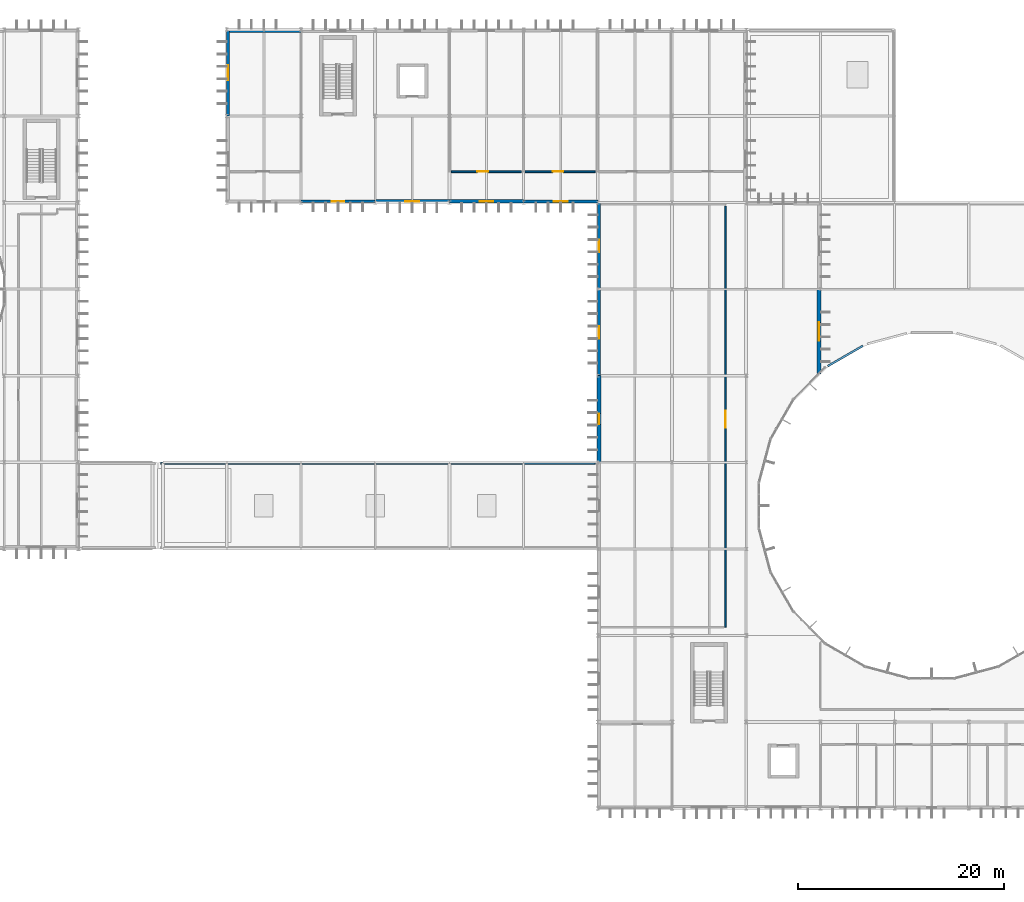
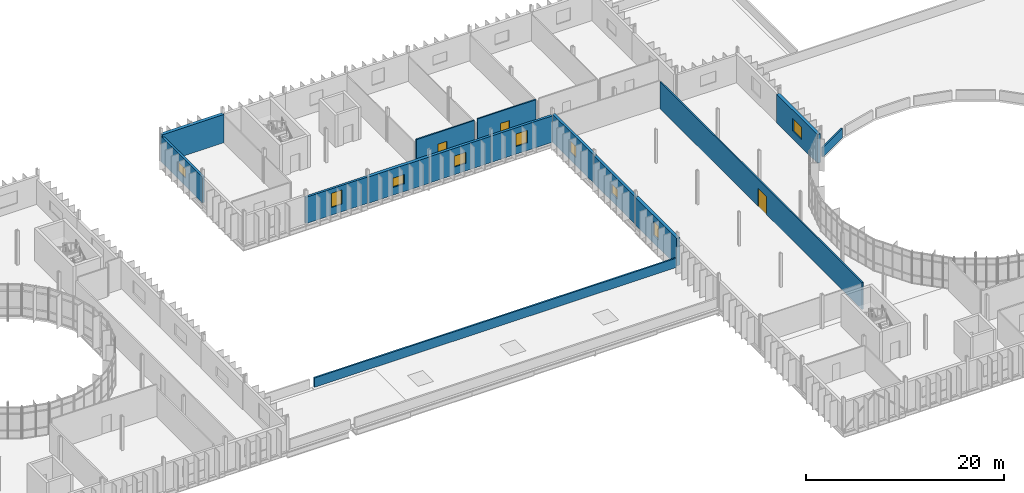
# One storey, part 47 of 61: 15 walls, 9 windows, 3 doors, 12 openings.
"""IFC4 building model written with IfcOpenShell, lengths in metres."""

from ifc_helpers import new_model, si_unit, direction, frame, frame_2d, origin, place, context, subcontext, project, spatial, rectangle, extrude, material, layer, layer_set, type_object, element, fill, save


model = new_model("IFC4")

# Units and contexts
model_context = context("Model", 3, precision=1e-05, world=origin(), true_north=direction((0.0, 1.0)))
body_context = subcontext(model_context, "Body", "Model", "MODEL_VIEW")
ifc_project = project(units=[si_unit("LENGTHUNIT", "METRE"), si_unit("AREAUNIT", "SQUARE_METRE"), si_unit("VOLUMEUNIT", "CUBIC_METRE"), si_unit("PLANEANGLEUNIT", "RADIAN"), si_unit("MASSUNIT", "GRAM", prefix="KILO")], contexts=[model_context])

# Site, building, storey
site_placement = place(None, origin())
site = spatial("IfcSite", under=ifc_project, at=site_placement, CompositionType="ELEMENT")
building_placement = place(site_placement, origin())
building = spatial("IfcBuilding", under=site, at=building_placement, Name="Qelthora Terrace Specialist Clinic", CompositionType="ELEMENT")
storey_placement = place(building_placement, frame((0.0, 0.0, 13.199951171875)))
storey = spatial("IfcBuildingStorey", under=building, at=storey_placement, Name="L03", CompositionType="ELEMENT", Elevation=13.199951171875)

# Wall, opening, window
ifc_material_1 = material(Name="Precast concrete C40/50", Category="concrete")
ifc_layer_1 = layer(ifc_material_1, 0.260009765625)
ifc_layer_set_1 = layer_set([ifc_layer_1], Name="Precast concrete C40/50")
wall_type_1 = type_object("IfcWallType", Name="WAL-EXT-260-PC40", PredefinedType="SOLIDWALL", material=ifc_layer_set_1)
wall_1_placement = place(storey_placement, frame((64.800048828125, 92.52001953125, 0.0), z_axis=(0.0, 0.0, 1.0), x_axis=(1.0, 0.0, 0.0)))
wall_1 = element("IfcWall", 1, at=wall_1_placement, inside=storey, type_object=wall_type_1, Name="L03 external precast wall 304", PredefinedType="SOLIDWALL", context=body_context, shape_type="SweptSolid", body=[
    extrude(rectangle(XDim=7.199951171875, YDim=0.260009765625, at=frame_2d((3.60009765625, 0.0))), origin(), (0.0, 0.0, 1.0), 3.2490234375),
])
opening_1_placement = place(wall_1_placement, frame((3.0, 0.0, 0.949951171875)))
opening_1 = element("IfcOpeningElement", 2, at=opening_1_placement, cuts=wall_1, Name="Opening WN-L03-264", PredefinedType="OPENING", context=body_context, shape_type="SweptSolid", body=[
    extrude(rectangle(XDim=1.199951171875, YDim=1.75, at=frame_2d((0.60009765625, 0.875))), frame((0.0, 0.139892578125, 0.0), z_axis=(0.0, -1.0, 0.0), x_axis=(1.0, 0.0, 0.0)), (0.0, 0.0, 1.0), 0.280029296875),
])
ifc_material_2 = material(Name="Low-E triple-silver insulating glass", Category="glass")
window_type_1 = type_object("IfcWindowType", Name="WIN-1200X1750", PartitioningType="SINGLE_PANEL", PredefinedType="WINDOW", material=ifc_material_2)
window_1_placement = place(opening_1_placement, origin())
window_1 = element("IfcWindow", 3, at=window_1_placement, inside=storey, type_object=window_type_1, Name="Clinical window WN-L03-264", OverallHeight=1.75, OverallWidth=1.199951171875, PartitioningType="SINGLE_PANEL", PredefinedType="WINDOW", context=body_context, shape_type="SweptSolid", body=[
    extrude(rectangle(XDim=1.199951171875, YDim=1.75, at=frame_2d((0.60009765625, 0.875))), frame((0.0, 0.030029296875, 0.0), z_axis=(0.0, -1.0, 0.0), x_axis=(1.0, 0.0, 0.0)), (0.0, 0.0, 1.0), 0.06005859375),
])
fill(opening_1, window_1)

wall_2_placement = place(storey_placement, frame((57.719970703125, 100.800048828125, 0.0), z_axis=(0.0, 0.0, 1.0), x_axis=(0.0, 1.0, 0.0)))
wall_2 = element("IfcWall", 4, at=wall_2_placement, inside=storey, type_object=wall_type_1, Name="L03 external precast wall 309", PredefinedType="SOLIDWALL", context=body_context, shape_type="SweptSolid", body=[
    extrude(rectangle(XDim=8.39990234375, YDim=0.260009765625, at=frame_2d((4.199951171875, 0.0))), origin(), (0.0, 0.0, 1.0), 3.172119140625),
])
opening_2_placement = place(wall_2_placement, frame((3.449951171875, 0.0, 0.949951171875)))
opening_2 = element("IfcOpeningElement", 5, at=opening_2_placement, cuts=wall_2, Name="Opening WN-L03-269", PredefinedType="OPENING", context=body_context, shape_type="SweptSolid", body=[
    extrude(rectangle(XDim=1.5, YDim=1.14990234375, at=frame_2d((0.75, 0.574951171875))), frame((0.0, 0.139892578125, 0.0), z_axis=(0.0, -1.0, 0.0), x_axis=(1.0, 0.0, 0.0)), (0.0, 0.0, 1.0), 0.280029296875),
])
window_type_2 = type_object("IfcWindowType", Name="WIN-1500X1150", PartitioningType="SINGLE_PANEL", PredefinedType="WINDOW", material=ifc_material_2)
window_2_placement = place(opening_2_placement, origin())
window_2 = element("IfcWindow", 6, at=window_2_placement, inside=storey, type_object=window_type_2, Name="Clinical window WN-L03-269", OverallHeight=1.14990234375, OverallWidth=1.5, PartitioningType="SINGLE_PANEL", PredefinedType="WINDOW", context=body_context, shape_type="SweptSolid", body=[
    extrude(rectangle(XDim=1.5, YDim=1.14990234375, at=frame_2d((0.75, 0.574951171875))), frame((0.0, 0.030029296875, 0.0), z_axis=(0.0, -1.0, 0.0), x_axis=(1.0, 0.0, 0.0)), (0.0, 0.0, 1.0), 0.06005859375),
])
fill(opening_2, window_2)

ifc_layer_2 = layer(ifc_material_1, 0.300048828125)
ifc_layer_set_2 = layer_set([ifc_layer_2], Name="Precast concrete C40/50")
wall_type_2 = type_object("IfcWallType", Name="WAL-EXT-300-PC40", PredefinedType="SOLIDWALL", material=ifc_layer_set_2)
wall_3_placement = place(storey_placement, frame((93.719970703125, 84.0, 0.0), z_axis=(0.0, 0.0, 1.0), x_axis=(0.0, 1.0, 0.0)))
wall_3 = element("IfcWall", 7, at=wall_3_placement, inside=storey, type_object=wall_type_2, Name="L03 external precast wall 302", PredefinedType="SOLIDWALL", context=body_context, shape_type="SweptSolid", body=[
    extrude(rectangle(XDim=8.39990234375, YDim=0.300048828125, at=frame_2d((4.199951171875, 0.0))), origin(), (0.0, 0.0, 1.0), 3.47607421875),
])
opening_3_placement = place(wall_3_placement, frame((3.60009765625, 0.0, 0.949951171875)))
opening_3 = element("IfcOpeningElement", 8, at=opening_3_placement, cuts=wall_3, Name="Opening WN-L03-262", PredefinedType="OPENING", context=body_context, shape_type="SweptSolid", body=[
    extrude(rectangle(XDim=1.199951171875, YDim=1.35009765625, at=frame_2d((0.60009765625, 0.675048828125))), frame((0.0, 0.159912109375, 0.0), z_axis=(0.0, -1.0, 0.0), x_axis=(1.0, 0.0, 0.0)), (0.0, 0.0, 1.0), 0.320068359375),
])
window_type_3 = type_object("IfcWindowType", Name="WIN-1200X1350", PartitioningType="SINGLE_PANEL", PredefinedType="WINDOW", material=ifc_material_2)
window_3_placement = place(opening_3_placement, origin())
window_3 = element("IfcWindow", 9, at=window_3_placement, inside=storey, type_object=window_type_3, Name="Clinical window WN-L03-262", OverallHeight=1.35009765625, OverallWidth=1.199951171875, PartitioningType="SINGLE_PANEL", PredefinedType="WINDOW", context=body_context, shape_type="SweptSolid", body=[
    extrude(rectangle(XDim=1.199951171875, YDim=1.35009765625, at=frame_2d((0.60009765625, 0.675048828125))), frame((0.0, 0.030029296875, 0.0), z_axis=(0.0, -1.0, 0.0), x_axis=(1.0, 0.0, 0.0)), (0.0, 0.0, 1.0), 0.06005859375),
])
fill(opening_3, window_3)

wall_4_placement = place(storey_placement, frame((86.39990234375, 92.52001953125, 0.0), z_axis=(0.0, 0.0, 1.0), x_axis=(1.0, 0.0, 0.0)))
wall_4 = element("IfcWall", 10, at=wall_4_placement, inside=storey, type_object=wall_type_2, Name="L03 external precast wall 307", PredefinedType="SOLIDWALL", context=body_context, shape_type="SweptSolid", body=[
    extrude(rectangle(XDim=7.2001953125, YDim=0.300048828125, at=frame_2d((3.60009765625, 0.0))), origin(), (0.0, 0.0, 1.0), 3.254150390625),
])
opening_4_placement = place(wall_4_placement, frame((2.925048828125, 0.0, 0.949951171875)))
opening_4 = element("IfcOpeningElement", 11, at=opening_4_placement, cuts=wall_4, Name="Opening WN-L03-267", PredefinedType="OPENING", context=body_context, shape_type="SweptSolid", body=[
    extrude(rectangle(XDim=1.35009765625, YDim=1.550048828125, at=frame_2d((0.675048828125, 0.77490234375))), frame((0.0, 0.159912109375, 0.0), z_axis=(0.0, -1.0, 0.0), x_axis=(1.0, 0.0, 0.0)), (0.0, 0.0, 1.0), 0.320068359375),
])
window_type_4 = type_object("IfcWindowType", Name="WIN-1350X1550", PartitioningType="SINGLE_PANEL", PredefinedType="WINDOW", material=ifc_material_2)
window_4_placement = place(opening_4_placement, origin())
window_4 = element("IfcWindow", 12, at=window_4_placement, inside=storey, type_object=window_type_4, Name="Clinical window WN-L03-267", OverallHeight=1.550048828125, OverallWidth=1.35009765625, PartitioningType="SINGLE_PANEL", PredefinedType="WINDOW", context=body_context, shape_type="SweptSolid", body=[
    extrude(rectangle(XDim=1.35009765625, YDim=1.550048828125, at=frame_2d((0.675048828125, 0.77490234375))), frame((0.0, 0.030029296875, 0.0), z_axis=(0.0, -1.0, 0.0), x_axis=(1.0, 0.0, 0.0)), (0.0, 0.0, 1.0), 0.06005859375),
])
fill(opening_4, window_4)

ifc_layer_3 = layer(ifc_material_1, 0.320068359375)
ifc_layer_set_3 = layer_set([ifc_layer_3], Name="Precast concrete C40/50")
wall_type_3 = type_object("IfcWallType", Name="WAL-EXT-320-PC40", PredefinedType="SOLIDWALL", material=ifc_layer_set_3)
wall_5_placement = place(storey_placement, frame((93.719970703125, 75.60009765625, 0.0), z_axis=(0.0, 0.0, 1.0), x_axis=(0.0, 1.0, 0.0)))
wall_5 = element("IfcWall", 13, at=wall_5_placement, inside=storey, type_object=wall_type_3, Name="L03 external precast wall 301", PredefinedType="SOLIDWALL", context=body_context, shape_type="SweptSolid", body=[
    extrude(rectangle(XDim=8.39990234375, YDim=0.320068359375, at=frame_2d((4.199951171875, 0.0))), origin(), (0.0, 0.0, 1.0), 3.405029296875),
])
opening_5_placement = place(wall_5_placement, frame((3.60009765625, 0.0, 0.949951171875)))
opening_5 = element("IfcOpeningElement", 14, at=opening_5_placement, cuts=wall_5, Name="Opening WN-L03-261", PredefinedType="OPENING", context=body_context, shape_type="SweptSolid", body=[
    extrude(rectangle(XDim=1.199951171875, YDim=1.14990234375, at=frame_2d((0.60009765625, 0.574951171875))), frame((0.0, 0.169921875, 0.0), z_axis=(0.0, -1.0, 0.0), x_axis=(1.0, 0.0, 0.0)), (0.0, 0.0, 1.0), 0.340087890625),
])
window_type_5 = type_object("IfcWindowType", Name="WIN-1200X1150", PartitioningType="SINGLE_PANEL", PredefinedType="WINDOW", material=ifc_material_2)
window_5_placement = place(opening_5_placement, origin())
window_5 = element("IfcWindow", 15, at=window_5_placement, inside=storey, type_object=window_type_5, Name="Clinical window WN-L03-261", OverallHeight=1.14990234375, OverallWidth=1.199951171875, PartitioningType="SINGLE_PANEL", PredefinedType="WINDOW", context=body_context, shape_type="SweptSolid", body=[
    extrude(rectangle(XDim=1.199951171875, YDim=1.14990234375, at=frame_2d((0.60009765625, 0.574951171875))), frame((0.0, 0.030029296875, 0.0), z_axis=(0.0, -1.0, 0.0), x_axis=(1.0, 0.0, 0.0)), (0.0, 0.0, 1.0), 0.06005859375),
])
fill(opening_5, window_5)

wall_6_placement = place(storey_placement, frame((79.199951171875, 92.52001953125, 0.0), z_axis=(0.0, 0.0, 1.0), x_axis=(1.0, 0.0, 0.0)))
wall_6 = element("IfcWall", 16, at=wall_6_placement, inside=storey, type_object=wall_type_3, Name="L03 external precast wall 306", PredefinedType="SOLIDWALL", context=body_context, shape_type="SweptSolid", body=[
    extrude(rectangle(XDim=7.199951171875, YDim=0.320068359375, at=frame_2d((3.60009765625, 0.0))), origin(), (0.0, 0.0, 1.0), 3.2490234375),
])
opening_6_placement = place(wall_6_placement, frame((2.925048828125, 0.0, 0.949951171875)))
opening_6 = element("IfcOpeningElement", 17, at=opening_6_placement, cuts=wall_6, Name="Opening WN-L03-266", PredefinedType="OPENING", context=body_context, shape_type="SweptSolid", body=[
    extrude(rectangle(XDim=1.35009765625, YDim=1.35009765625, at=frame_2d((0.675048828125, 0.675048828125))), frame((0.0, 0.169921875, 0.0), z_axis=(0.0, -1.0, 0.0), x_axis=(1.0, 0.0, 0.0)), (0.0, 0.0, 1.0), 0.340087890625),
])
window_type_6 = type_object("IfcWindowType", Name="WIN-1350X1350", PartitioningType="SINGLE_PANEL", PredefinedType="WINDOW", material=ifc_material_2)
window_6_placement = place(opening_6_placement, origin())
window_6 = element("IfcWindow", 18, at=window_6_placement, inside=storey, type_object=window_type_6, Name="Clinical window WN-L03-266", OverallHeight=1.35009765625, OverallWidth=1.35009765625, PartitioningType="SINGLE_PANEL", PredefinedType="WINDOW", context=body_context, shape_type="SweptSolid", body=[
    extrude(rectangle(XDim=1.35009765625, YDim=1.35009765625, at=frame_2d((0.675048828125, 0.675048828125))), frame((0.0, 0.030029296875, 0.0), z_axis=(0.0, -1.0, 0.0), x_axis=(1.0, 0.0, 0.0)), (0.0, 0.0, 1.0), 0.06005859375),
])
fill(opening_6, window_6)

ifc_layer_4 = layer(ifc_material_1, 0.3798828125)
ifc_layer_set_4 = layer_set([ifc_layer_4], Name="Precast concrete C40/50")
wall_type_4 = type_object("IfcWallType", Name="WAL-EXT-380-PC40", PredefinedType="SOLIDWALL", material=ifc_layer_set_4)
wall_7_placement = place(storey_placement, frame((93.719970703125, 67.199951171875, 0.0), z_axis=(0.0, 0.0, 1.0), x_axis=(0.0, 1.0, 0.0)))
wall_7 = element("IfcWall", 19, at=wall_7_placement, inside=storey, type_object=wall_type_4, Name="L03 external precast wall 300", PredefinedType="SOLIDWALL", context=body_context, shape_type="SweptSolid", body=[
    extrude(rectangle(XDim=8.400146484375, YDim=0.3798828125, at=frame_2d((4.2001953125, 0.0))), origin(), (0.0, 0.0, 1.0), 3.39794921875),
])
opening_7_placement = place(wall_7_placement, frame((3.675048828125, 0.0, 0.949951171875)))
opening_7 = element("IfcOpeningElement", 20, at=opening_7_placement, cuts=wall_7, Name="Opening WN-L03-260", PredefinedType="OPENING", context=body_context, shape_type="SweptSolid", body=[
    extrude(rectangle(XDim=1.050048828125, YDim=1.75, at=frame_2d((0.52490234375, 0.875))), frame((0.0, 0.199951171875, 0.0), z_axis=(0.0, -1.0, 0.0), x_axis=(1.0, 0.0, 0.0)), (0.0, 0.0, 1.0), 0.39990234375),
])
window_type_7 = type_object("IfcWindowType", Name="WIN-1050X1750", PartitioningType="SINGLE_PANEL", PredefinedType="WINDOW", material=ifc_material_2)
window_7_placement = place(opening_7_placement, origin())
window_7 = element("IfcWindow", 21, at=window_7_placement, inside=storey, type_object=window_type_7, Name="Clinical window WN-L03-260", OverallHeight=1.75, OverallWidth=1.050048828125, PartitioningType="SINGLE_PANEL", PredefinedType="WINDOW", context=body_context, shape_type="SweptSolid", body=[
    extrude(rectangle(XDim=1.050048828125, YDim=1.75, at=frame_2d((0.52490234375, 0.875))), frame((0.0, 0.030029296875, 0.0), z_axis=(0.0, -1.0, 0.0), x_axis=(1.0, 0.0, 0.0)), (0.0, 0.0, 1.0), 0.06005859375),
])
fill(opening_7, window_7)

wall_8_placement = place(storey_placement, frame((72.0, 92.52001953125, 0.0), z_axis=(0.0, 0.0, 1.0), x_axis=(1.0, 0.0, 0.0)))
wall_8 = element("IfcWall", 22, at=wall_8_placement, inside=storey, type_object=wall_type_4, Name="L03 external precast wall 305", PredefinedType="SOLIDWALL", context=body_context, shape_type="SweptSolid", body=[
    extrude(rectangle(XDim=7.199951171875, YDim=0.3798828125, at=frame_2d((3.60009765625, 0.0))), origin(), (0.0, 0.0, 1.0), 3.2490234375),
])
opening_8_placement = place(wall_8_placement, frame((2.925048828125, 0.0, 0.949951171875)))
opening_8 = element("IfcOpeningElement", 23, at=opening_8_placement, cuts=wall_8, Name="Opening WN-L03-265", PredefinedType="OPENING", context=body_context, shape_type="SweptSolid", body=[
    extrude(rectangle(XDim=1.35009765625, YDim=1.14990234375, at=frame_2d((0.675048828125, 0.574951171875))), frame((0.0, 0.199951171875, 0.0), z_axis=(0.0, -1.0, 0.0), x_axis=(1.0, 0.0, 0.0)), (0.0, 0.0, 1.0), 0.39990234375),
])
window_type_8 = type_object("IfcWindowType", Name="WIN-1350X1150", PartitioningType="SINGLE_PANEL", PredefinedType="WINDOW", material=ifc_material_2)
window_8_placement = place(opening_8_placement, origin())
window_8 = element("IfcWindow", 24, at=window_8_placement, inside=storey, type_object=window_type_8, Name="Clinical window WN-L03-265", OverallHeight=1.14990234375, OverallWidth=1.35009765625, PartitioningType="SINGLE_PANEL", PredefinedType="WINDOW", context=body_context, shape_type="SweptSolid", body=[
    extrude(rectangle(XDim=1.35009765625, YDim=1.14990234375, at=frame_2d((0.675048828125, 0.574951171875))), frame((0.0, 0.030029296875, 0.0), z_axis=(0.0, -1.0, 0.0), x_axis=(1.0, 0.0, 0.0)), (0.0, 0.0, 1.0), 0.06005859375),
])
fill(opening_8, window_8)

# Wall
wall_9_placement = place(storey_placement, frame((57.60009765625, 109.080078125, 0.0), z_axis=(0.0, 0.0, 1.0), x_axis=(1.0, 0.0, 0.0)))
element("IfcWall", 25, at=wall_9_placement, inside=storey, type_object=wall_type_4, Name="L03 external precast wall 310", PredefinedType="SOLIDWALL", context=body_context, shape_type="SweptSolid", body=[
    extrude(rectangle(XDim=7.199951171875, YDim=0.3798828125, at=frame_2d((3.60009765625, 0.0))), origin(), (0.0, 0.0, 1.0), 3.48193359375),
])

# Wall, opening, window
wall_10_placement = place(storey_placement, frame((115.080078125, 75.755615234375, 0.0), z_axis=(0.0, 0.0, 1.0), x_axis=(0.0, 1.0, 0.0)))
wall_10 = element("IfcWall", 26, at=wall_10_placement, inside=storey, type_object=wall_type_4, Name="L03 external precast wall 320", PredefinedType="SOLIDWALL", context=body_context, shape_type="SweptSolid", body=[
    extrude(rectangle(XDim=8.244384765625, YDim=0.3798828125, at=frame_2d((4.1220703125, 0.0))), origin(), (0.0, 0.0, 1.0), 3.531982421875),
])
opening_9_placement = place(wall_10_placement, frame((3.22216796875, 0.0, 0.949951171875)))
opening_9 = element("IfcOpeningElement", 27, at=opening_9_placement, cuts=wall_10, Name="Opening WN-L03-279", PredefinedType="OPENING", context=body_context, shape_type="SweptSolid", body=[
    extrude(rectangle(XDim=1.800048828125, YDim=1.550048828125, at=frame_2d((0.89990234375, 0.77490234375))), frame((0.0, 0.199951171875, 0.0), z_axis=(0.0, -1.0, 0.0), x_axis=(1.0, 0.0, 0.0)), (0.0, 0.0, 1.0), 0.39990234375),
])
window_type_9 = type_object("IfcWindowType", Name="WIN-1800X1550", PartitioningType="DOUBLE_PANEL_VERTICAL", PredefinedType="WINDOW", material=ifc_material_2)
window_9_placement = place(opening_9_placement, origin())
window_9 = element("IfcWindow", 28, at=window_9_placement, inside=storey, type_object=window_type_9, Name="Clinical window WN-L03-279", OverallHeight=1.550048828125, OverallWidth=1.800048828125, PartitioningType="SINGLE_PANEL", PredefinedType="WINDOW", context=body_context, shape_type="SweptSolid", body=[
    extrude(rectangle(XDim=1.800048828125, YDim=1.550048828125, at=frame_2d((0.89990234375, 0.77490234375))), frame((0.0, 0.030029296875, 0.0), z_axis=(0.0, -1.0, 0.0), x_axis=(1.0, 0.0, 0.0)), (0.0, 0.0, 1.0), 0.06005859375),
])
fill(opening_9, window_9)

# Wall, opening, door
ifc_material_3 = material(Name="Gypsum fire-rated wallboard", Category="gypsum")
ifc_layer_5 = layer(ifc_material_3, 0.159912109375)
ifc_layer_set_5 = layer_set([ifc_layer_5], Name="Gypsum fire-rated wallboard")
wall_type_5 = type_object("IfcWallType", Name="WAL-INT-COR-160", PredefinedType="PARTITIONING", material=ifc_layer_set_5)
wall_11_placement = place(storey_placement, frame((106.0, 92.070068359375, 0.0), z_axis=(0.0, 0.0, 1.0), x_axis=(0.0, -1.0, 0.0)))
wall_11 = element("IfcWall", 29, at=wall_11_placement, inside=storey, type_object=wall_type_5, Name="Interior clinical partition IWAL-L03-0331", PredefinedType="PARTITIONING", context=body_context, shape_type="SweptSolid", body=[
    extrude(rectangle(XDim=40.8701171875, YDim=0.159912109375, at=frame_2d((20.43505859375, 0.0))), origin(), (0.0, 0.0, 1.0), 3.328125),
])
opening_10_placement = place(wall_11_placement, frame((19.8798828125, 0.0, 0.0)))
opening_10 = element("IfcOpeningElement", 30, at=opening_10_placement, cuts=wall_11, Name="Opening DI-L03-0132", PredefinedType="OPENING", context=body_context, shape_type="SweptSolid", body=[
    extrude(rectangle(XDim=1.64990234375, YDim=2.199951171875, at=frame_2d((0.824951171875, 1.10009765625))), frame((0.0, 0.08984375, 0.0), z_axis=(0.0, -1.0, 0.0), x_axis=(1.0, 0.0, 0.0)), (0.0, 0.0, 1.0), 0.179931640625),
])
ifc_material_4 = material(Name="Aluminium anodized bronze", Category="aluminium")
door_type_1 = type_object("IfcDoorType", Name="DOR-GYM-1650X2200", OperationType="NOTDEFINED", PredefinedType="DOOR", material=ifc_material_4)
door_1_placement = place(opening_10_placement, frame((1.64990234375, 0.0, 0.0), z_axis=(0.0, 0.0, 1.0), x_axis=(-1.0, 0.0, 0.0)))
door_1 = element("IfcDoor", 31, at=door_1_placement, inside=storey, type_object=door_type_1, Name="Interior clinical door DI-L03-0132", OperationType="DOUBLE_DOOR_SINGLE_SWING", OverallHeight=2.199951171875, OverallWidth=1.64990234375, PredefinedType="DOOR", context=body_context, shape_type="SweptSolid", body=[
    extrude(rectangle(XDim=1.64990234375, YDim=2.199951171875, at=frame_2d((0.824951171875, 1.10009765625))), frame((0.0, 0.02490234375, 0.0), z_axis=(0.0, -1.0, 0.0), x_axis=(1.0, 0.0, 0.0)), (0.0, 0.0, 1.0), 0.050048828125),
])
fill(opening_10, door_1)

wall_12_placement = place(storey_placement, frame((86.1826171875, 95.39990234375, 0.0), z_axis=(0.0, 0.0, 1.0), x_axis=(-1.0, 0.0, 0.0)))
wall_12 = element("IfcWall", 32, at=wall_12_placement, inside=storey, type_object=wall_type_5, Name="Interior clinical partition IWAL-L03-0351", PredefinedType="PARTITIONING", context=body_context, shape_type="SweptSolid", body=[
    extrude(rectangle(XDim=6.802734375, YDim=0.159912109375, at=frame_2d((3.4013671875, 0.0))), origin(), (0.0, 0.0, 1.0), 3.485107421875),
])
opening_11_placement = place(wall_12_placement, frame((3.231201171875, 0.0, 0.0)))
opening_11 = element("IfcOpeningElement", 33, at=opening_11_placement, cuts=wall_12, Name="Opening DI-L03-0139", PredefinedType="OPENING", context=body_context, shape_type="SweptSolid", body=[
    extrude(rectangle(XDim=1.06005859375, YDim=2.050048828125, at=frame_2d((0.530029296875, 1.02490234375))), frame((0.0, 0.08984375, 0.0), z_axis=(0.0, -1.0, 0.0), x_axis=(1.0, 0.0, 0.0)), (0.0, 0.0, 1.0), 0.179931640625),
])
ifc_material_5 = material(Name="Glulam timber GL28h", Category="wood")
door_type_2 = type_object("IfcDoorType", Name="DOR-CON-1060X2050", OperationType="NOTDEFINED", PredefinedType="DOOR", material=ifc_material_5)
door_2_placement = place(opening_11_placement, frame((1.06005859375, 0.0, 0.0), z_axis=(0.0, 0.0, 1.0), x_axis=(-1.0, 0.0, 0.0)))
door_2 = element("IfcDoor", 34, at=door_2_placement, inside=storey, type_object=door_type_2, Name="Interior clinical door DI-L03-0139", OperationType="SINGLE_SWING_RIGHT", OverallHeight=2.050048828125, OverallWidth=1.06005859375, PredefinedType="DOOR", context=body_context, shape_type="SweptSolid", body=[
    extrude(rectangle(XDim=1.06005859375, YDim=2.050048828125, at=frame_2d((0.530029296875, 1.02490234375))), frame((0.0, 0.02490234375, 0.0), z_axis=(0.0, -1.0, 0.0), x_axis=(1.0, 0.0, 0.0)), (0.0, 0.0, 1.0), 0.050048828125),
])
fill(opening_11, door_2)

wall_13_placement = place(storey_placement, frame((93.344970703125, 95.39990234375, 0.0), z_axis=(0.0, 0.0, 1.0), x_axis=(-1.0, 0.0, 0.0)))
wall_13 = element("IfcWall", 35, at=wall_13_placement, inside=storey, type_object=wall_type_5, Name="Interior clinical partition IWAL-L03-0353", PredefinedType="PARTITIONING", context=body_context, shape_type="SweptSolid", body=[
    extrude(rectangle(XDim=6.802490234375, YDim=0.159912109375, at=frame_2d((3.4013671875, 0.0))), origin(), (0.0, 0.0, 1.0), 3.53515625),
])
opening_12_placement = place(wall_13_placement, frame((3.09130859375, 0.0, 0.0)))
opening_12 = element("IfcOpeningElement", 36, at=opening_12_placement, cuts=wall_13, Name="Opening DI-L03-0140", PredefinedType="OPENING", context=body_context, shape_type="SweptSolid", body=[
    extrude(rectangle(XDim=1.02001953125, YDim=2.050048828125, at=frame_2d((0.510009765625, 1.02490234375))), frame((0.0, 0.08984375, 0.0), z_axis=(0.0, -1.0, 0.0), x_axis=(1.0, 0.0, 0.0)), (0.0, 0.0, 1.0), 0.179931640625),
])
door_type_3 = type_object("IfcDoorType", Name="DOR-CON-1020X2050", OperationType="NOTDEFINED", PredefinedType="DOOR", material=ifc_material_5)
door_3_placement = place(opening_12_placement, frame((1.02001953125, 0.0, 0.0), z_axis=(0.0, 0.0, 1.0), x_axis=(-1.0, 0.0, 0.0)))
door_3 = element("IfcDoor", 37, at=door_3_placement, inside=storey, type_object=door_type_3, Name="Interior clinical door DI-L03-0140", OperationType="SINGLE_SWING_LEFT", OverallHeight=2.050048828125, OverallWidth=1.02001953125, PredefinedType="DOOR", context=body_context, shape_type="SweptSolid", body=[
    extrude(rectangle(XDim=1.02001953125, YDim=2.050048828125, at=frame_2d((0.510009765625, 1.02490234375))), frame((0.0, 0.02490234375, 0.0), z_axis=(0.0, -1.0, 0.0), x_axis=(1.0, 0.0, 0.0)), (0.0, 0.0, 1.0), 0.050048828125),
])
fill(opening_12, door_3)

# Walls
ifc_layer_6 = layer(ifc_material_1, 0.18994140625)
ifc_layer_set_6 = layer_set([ifc_layer_6], Name="Precast concrete C40/50")
wall_type_6 = type_object("IfcWallType", Name="WAL-PAR-190-PC40", PredefinedType="PARAPET", material=ifc_layer_set_6)
wall_14_placement = place(storey_placement, frame((119.325439453125, 78.50634765625, 0.0), z_axis=(0.0, 0.0, 1.0), x_axis=(-0.866056795242, -0.499945624459, 0.0)))
element("IfcWall", 38, at=wall_14_placement, inside=storey, type_object=wall_type_6, Name="Roof perimeter parapet ROOF-V4-STP3A-1-13", PredefinedType="PARAPET", context=body_context, shape_type="SweptSolid", body=[
    extrude(rectangle(XDim=3.94580078125, YDim=0.18994140625, at=frame_2d((1.972900390625, 0.0))), origin(), (0.0, 0.0, 1.0), 1.150146484375),
])
wall_15_placement = place(storey_placement, frame((51.169921875, 67.090087890625, 0.0), z_axis=(0.0, 0.0, 1.0), x_axis=(1.0, 0.0, 0.0)))
element("IfcWall", 39, at=wall_15_placement, inside=storey, type_object=wall_type_6, Name="Roof perimeter parapet ROOF-V7-BRG-1-2", PredefinedType="PARAPET", context=body_context, shape_type="SweptSolid", body=[
    extrude(rectangle(XDim=42.197021484375, YDim=0.18994140625, at=frame_2d((21.0986328125, 0.0))), origin(), (0.0, 0.0, 1.0), 1.150146484375),
])

save(model, "model.ifc")
